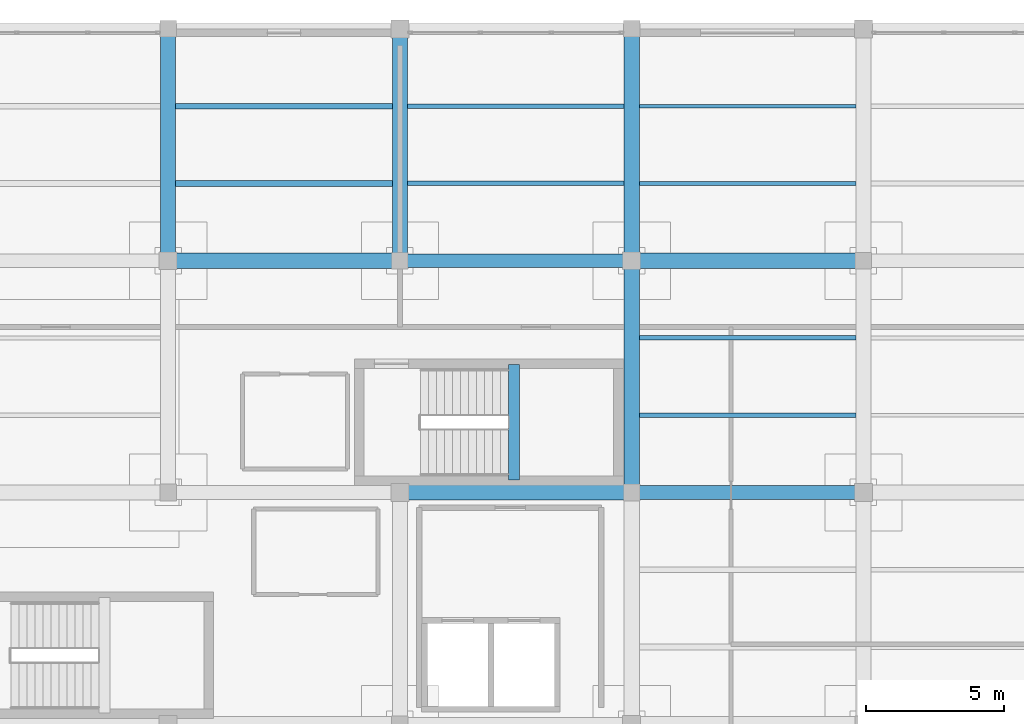
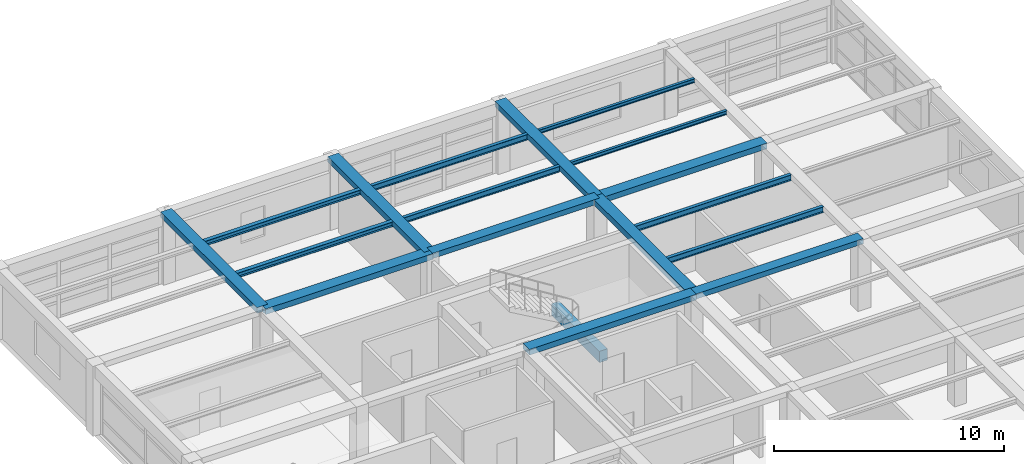
# One storey, part 12 of 26: 18 beams.
"""IFC4 building model written with IfcOpenShell, lengths in metres."""

from ifc_helpers import new_model, si_unit, direction, frame, origin, origin_2d, place, context, subcontext, project, spatial, rectangle, i_section, extrude, material, material_profile, profile_set, type_object, element, save


model = new_model("IFC4")

# Units and contexts
model_context = context("Model", 3, precision=1e-05, world=origin(), true_north=direction((0.0, 1.0)))
body_context = subcontext(model_context, "Body", "Model", "MODEL_VIEW")
ifc_project = project(units=[si_unit("LENGTHUNIT", "METRE"), si_unit("AREAUNIT", "SQUARE_METRE"), si_unit("VOLUMEUNIT", "CUBIC_METRE"), si_unit("PLANEANGLEUNIT", "RADIAN"), si_unit("MASSUNIT", "GRAM", prefix="KILO")], contexts=[model_context])

# Site, building, storey
site_placement = place(None, origin())
site = spatial("IfcSite", under=ifc_project, at=site_placement, CompositionType="ELEMENT")
building_placement = place(site_placement, origin())
building = spatial("IfcBuilding", under=site, at=building_placement, Name="Almacenes y Pasaje Nevantli", CompositionType="ELEMENT")
storey_placement = place(building_placement, frame((0.0, 0.0, 54.699951171875)))
storey = spatial("IfcBuildingStorey", under=building, at=storey_placement, Name="L13", CompositionType="ELEMENT", Elevation=54.699951171875)

# Beams
ifc_material_1 = material(Name="Concrete C35/45", Category="concrete")
ifc_material_profile_1 = material_profile(ifc_material_1, rectangle(XDim=0.39990234375, YDim=0.60009765625, at=origin_2d()), Name="RC-BM-400x600")
ifc_profile_set_1 = profile_set([ifc_material_profile_1], Name="Concrete C35/45")
beam_type_1 = type_object("IfcBeamType", Name="BM-RC-400x600", PredefinedType="SPANDREL", material=ifc_profile_set_1)
beam_1_placement = place(storey_placement, frame((138.5400390625, 84.449951171875, 1.5), z_axis=(0.0, 1.0, 0.0), x_axis=(-1.0, 0.0, 0.0)))
element("IfcBeam", 1, at=beam_1_placement, inside=storey, type_object=beam_type_1, Name="L13 Stair ST-02 Half-Landing Support Beam", PredefinedType="SPANDREL", context=body_context, shape_type="SweptSolid", body=[
    extrude(rectangle(XDim=0.39990234375, YDim=0.60009765625, at=origin_2d()), origin(), (0.0, 0.0, 1.0), 4.18994140625),
])
ifc_material_2 = material(Name="Concrete C35/45", Category="concrete")
ifc_material_profile_2 = material_profile(ifc_material_2, rectangle(XDim=0.5, YDim=0.280029296875, at=origin_2d()), Name="RC-BM-500x280")
ifc_profile_set_2 = profile_set([ifc_material_profile_2], Name="Concrete C35/45")
beam_type_2 = type_object("IfcBeamType", Name="BM-RC-500x280", PredefinedType="BEAM", material=ifc_profile_set_2)
beam_2_placement = place(storey_placement, frame((142.800048828125, 84.0, 3.580078125), z_axis=(1.0, 0.0, 0.0), x_axis=(0.0, 1.0, 0.0)))
element("IfcBeam", 2, at=beam_2_placement, inside=storey, type_object=beam_type_2, Name="L13 East-West Reinforced Concrete Beam #3951", PredefinedType="BEAM", context=body_context, shape_type="SweptSolid", body=[
    extrude(rectangle(XDim=0.5, YDim=0.280029296875, at=origin_2d()), origin(), (0.0, 0.0, 1.0), 8.39990234375),
])
beam_3_placement = place(storey_placement, frame((134.39990234375, 92.39990234375, 3.580078125), z_axis=(1.0, 0.0, 0.0), x_axis=(0.0, 1.0, 0.0)))
element("IfcBeam", 3, at=beam_3_placement, inside=storey, type_object=beam_type_2, Name="L13 East-West Reinforced Concrete Beam #3955", PredefinedType="BEAM", context=body_context, shape_type="SweptSolid", body=[
    extrude(rectangle(XDim=0.5, YDim=0.280029296875, at=origin_2d()), origin(), (0.0, 0.0, 1.0), 8.400146484375),
])
ifc_material_3 = material(Name="Concrete C35/45", Category="concrete")
ifc_material_profile_3 = material_profile(ifc_material_3, rectangle(XDim=0.550048828125, YDim=0.300048828125, at=origin_2d()), Name="RC-BM-550x300")
ifc_profile_set_3 = profile_set([ifc_material_profile_3], Name="Concrete C35/45")
beam_type_3 = type_object("IfcBeamType", Name="BM-RC-550x300", PredefinedType="BEAM", material=ifc_profile_set_3)
beam_4_placement = place(storey_placement, frame((134.39990234375, 84.0, 3.570068359375), z_axis=(1.0, 0.0, 0.0), x_axis=(0.0, 1.0, 0.0)))
element("IfcBeam", 4, at=beam_4_placement, inside=storey, type_object=beam_type_3, Name="L13 East-West Reinforced Concrete Beam #3950", PredefinedType="BEAM", context=body_context, shape_type="SweptSolid", body=[
    extrude(rectangle(XDim=0.550048828125, YDim=0.300048828125, at=origin_2d()), origin(), (0.0, 0.0, 1.0), 8.400146484375),
])
for number, where, z_axis, x_axis, name in (
    (5, (126.0, 92.39990234375, 3.570068359375), (1.0, 0.0, 0.0), (0.0, 1.0, 0.0), "L13 East-West Reinforced Concrete Beam #3954"),
    (6, (142.800048828125, 92.39990234375, 3.570068359375), (1.0, 0.0, 0.0), (0.0, 1.0, 0.0), "L13 East-West Reinforced Concrete Beam #3956"),
):
    element("IfcBeam", number, at=place(storey_placement, frame(where, z_axis=z_axis, x_axis=x_axis)), inside=storey, type_object=beam_type_3, Name=name, PredefinedType="BEAM", context=body_context, shape_type="SweptSolid", body=[
        extrude(rectangle(XDim=0.550048828125, YDim=0.300048828125, at=origin_2d()), origin(), (0.0, 0.0, 1.0), 8.39990234375),
    ])
for number, where, z_axis, x_axis, name in (
    (7, (126.0, 92.39990234375, 3.570068359375), (0.0, 1.0, 0.0), (-1.0, 0.0, 0.0), "L13 North-South Reinforced Concrete Beam #3969"),
    (8, (134.39990234375, 92.39990234375, 3.570068359375), (0.0, 1.0, 0.0), (-1.0, 0.0, 0.0), "L13 North-South Reinforced Concrete Beam #3972"),
):
    element("IfcBeam", number, at=place(storey_placement, frame(where, z_axis=z_axis, x_axis=x_axis)), inside=storey, type_object=beam_type_3, Name=name, PredefinedType="BEAM", context=body_context, shape_type="SweptSolid", body=[
        extrude(rectangle(XDim=0.550048828125, YDim=0.300048828125, at=origin_2d()), origin(), (0.0, 0.0, 1.0), 8.400146484375),
    ])
beam_5_placement = place(storey_placement, frame((142.800048828125, 84.0, 3.570068359375), z_axis=(0.0, 1.0, 0.0), x_axis=(-1.0, 0.0, 0.0)))
element("IfcBeam", 9, at=beam_5_placement, inside=storey, type_object=beam_type_3, Name="L13 North-South Reinforced Concrete Beam #3975", PredefinedType="BEAM", context=body_context, shape_type="SweptSolid", body=[
    extrude(rectangle(XDim=0.550048828125, YDim=0.300048828125, at=origin_2d()), origin(), (0.0, 0.0, 1.0), 8.39990234375),
])
beam_6_placement = place(storey_placement, frame((142.800048828125, 92.39990234375, 3.570068359375), z_axis=(0.0, 1.0, 0.0), x_axis=(-1.0, 0.0, 0.0)))
element("IfcBeam", 10, at=beam_6_placement, inside=storey, type_object=beam_type_3, Name="L13 North-South Reinforced Concrete Beam #3976", PredefinedType="BEAM", context=body_context, shape_type="SweptSolid", body=[
    extrude(rectangle(XDim=0.550048828125, YDim=0.300048828125, at=origin_2d()), origin(), (0.0, 0.0, 1.0), 8.400146484375),
])
ifc_material_4 = material(Name="Steel ASTM A992", Category="steel")
ifc_material_profile_4 = material_profile(ifc_material_4, i_section(OverallWidth=0.134033203125, OverallDepth=0.2099609375, WebThickness=0.00634765625, FlangeThickness=0.01025390625, at=origin_2d()), Name="IR 203x31.3")
ifc_profile_set_4 = profile_set([ifc_material_profile_4], Name="Steel ASTM A992")
beam_type_4 = type_object("IfcBeamType", Name="BM-STL-IR-203x31p3", PredefinedType="JOIST", material=ifc_profile_set_4)
for number, where, z_axis, x_axis, name in (
    (11, (143.074951171875, 95.199951171875, 3.60693359375), (1.0, 0.0, 0.0), (0.0, 1.0, 0.0), "L13 Secondary Steel Floor Joist #1583"),
    (12, (143.074951171875, 98.0, 3.60693359375), (1.0, 0.0, 0.0), (0.0, 1.0, 0.0), "L13 Secondary Steel Floor Joist #1584"),
):
    element("IfcBeam", number, at=place(storey_placement, frame(where, z_axis=z_axis, x_axis=x_axis)), inside=storey, type_object=beam_type_4, Name=name, PredefinedType="JOIST", context=body_context, shape_type="SweptSolid", body=[
        extrude(i_section(OverallWidth=0.134033203125, OverallDepth=0.2099609375, WebThickness=0.00634765625, FlangeThickness=0.01025390625, at=origin_2d()), origin(), (0.0, 0.0, 1.0), 7.85009765625),
    ])
ifc_material_5 = material(Name="Steel ASTM A992", Category="steel")
ifc_material_profile_5 = material_profile(ifc_material_5, i_section(OverallWidth=0.2041015625, OverallDepth=0.258056640625, WebThickness=0.008056640625, FlangeThickness=0.013427734375, at=origin_2d()), Name="IR 254x58.0")
ifc_profile_set_5 = profile_set([ifc_material_profile_5], Name="Steel ASTM A992")
beam_type_5 = type_object("IfcBeamType", Name="BM-STL-IR-254x58p0", PredefinedType="JOIST", material=ifc_profile_set_5)
for number, where, z_axis, x_axis, name in (
    (13, (126.27490234375, 95.199951171875, 3.5830078125), (1.0, 0.0, 0.0), (0.0, 1.0, 0.0), "L13 Secondary Steel Floor Joist #1571"),
    (14, (126.27490234375, 98.0, 3.5830078125), (1.0, 0.0, 0.0), (0.0, 1.0, 0.0), "L13 Secondary Steel Floor Joist #1572"),
):
    element("IfcBeam", number, at=place(storey_placement, frame(where, z_axis=z_axis, x_axis=x_axis)), inside=storey, type_object=beam_type_5, Name=name, PredefinedType="JOIST", context=body_context, shape_type="SweptSolid", body=[
        extrude(i_section(OverallWidth=0.2041015625, OverallDepth=0.258056640625, WebThickness=0.008056640625, FlangeThickness=0.013427734375, at=origin_2d()), origin(), (0.0, 0.0, 1.0), 7.85009765625),
    ])
ifc_material_6 = material(Name="Steel ASTM A992", Category="steel")
ifc_material_profile_6 = material_profile(ifc_material_6, i_section(OverallWidth=0.1650390625, OverallDepth=0.306884765625, WebThickness=0.006591796875, FlangeThickness=0.01025390625, at=origin_2d()), Name="IR 305x44.6")
ifc_profile_set_6 = profile_set([ifc_material_profile_6], Name="Steel ASTM A992")
beam_type_6 = type_object("IfcBeamType", Name="BM-STL-IR-305x44p6", PredefinedType="JOIST", material=ifc_profile_set_6)
for number, where, z_axis, x_axis, name in (
    (15, (134.675048828125, 95.199951171875, 3.55859375), (1.0, 0.0, 0.0), (0.0, 1.0, 0.0), "L13 Secondary Steel Floor Joist #1575"),
    (16, (134.675048828125, 98.0, 3.55859375), (1.0, 0.0, 0.0), (0.0, 1.0, 0.0), "L13 Secondary Steel Floor Joist #1576"),
):
    element("IfcBeam", number, at=place(storey_placement, frame(where, z_axis=z_axis, x_axis=x_axis)), inside=storey, type_object=beam_type_6, Name=name, PredefinedType="JOIST", context=body_context, shape_type="SweptSolid", body=[
        extrude(i_section(OverallWidth=0.1650390625, OverallDepth=0.306884765625, WebThickness=0.006591796875, FlangeThickness=0.01025390625, at=origin_2d()), origin(), (0.0, 0.0, 1.0), 7.849853515625),
    ])
for number, where, z_axis, x_axis, name in (
    (17, (143.074951171875, 86.800048828125, 3.55859375), (1.0, 0.0, 0.0), (0.0, 1.0, 0.0), "L13 Secondary Steel Floor Joist #1581"),
    (18, (143.074951171875, 89.60009765625, 3.55859375), (1.0, 0.0, 0.0), (0.0, 1.0, 0.0), "L13 Secondary Steel Floor Joist #1582"),
):
    element("IfcBeam", number, at=place(storey_placement, frame(where, z_axis=z_axis, x_axis=x_axis)), inside=storey, type_object=beam_type_6, Name=name, PredefinedType="JOIST", context=body_context, shape_type="SweptSolid", body=[
        extrude(i_section(OverallWidth=0.1650390625, OverallDepth=0.306884765625, WebThickness=0.006591796875, FlangeThickness=0.01025390625, at=origin_2d()), origin(), (0.0, 0.0, 1.0), 7.85009765625),
    ])

save(model, "model.ifc")
